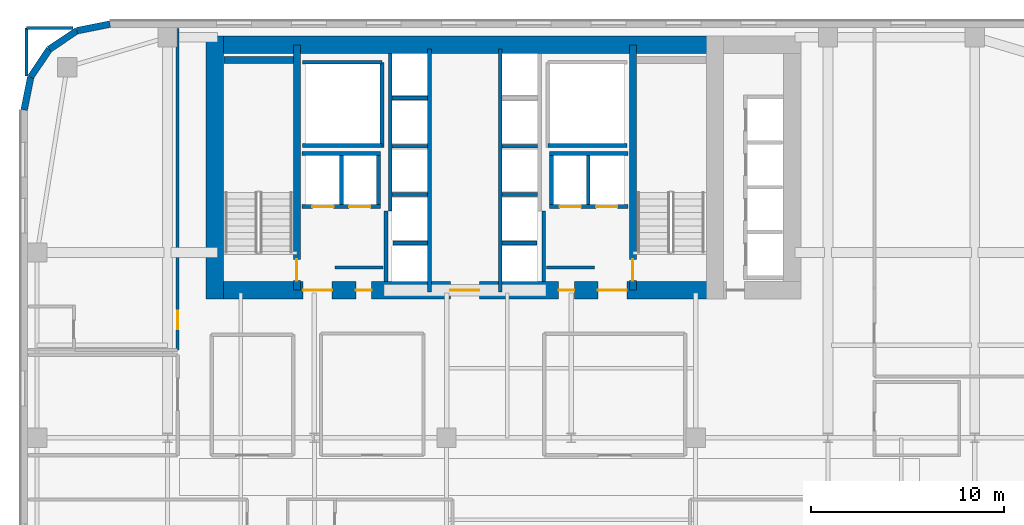
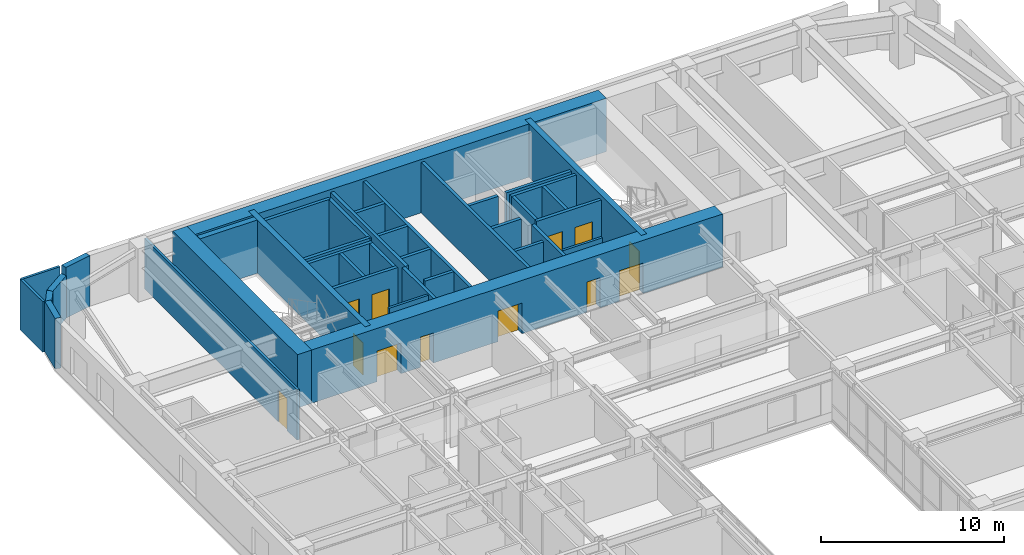
# One storey, part 18 of 25: 39 walls, 12 doors, 12 openings.
"""IFC4 building model written with IfcOpenShell, lengths in metres."""

from ifc_helpers import new_model, si_unit, direction, frame, frame_2d, origin, place, context, subcontext, project, spatial, rectangle, extrude, source, transform, mapped, material, layer, layer_set, type_object, type_shapes, element, fill, save


model = new_model("IFC4")

# Units and contexts
model_context = context("Model", 3, precision=1e-05, world=origin(), true_north=direction((0.0, 1.0)))
body_context = subcontext(model_context, "Body", "Model", "MODEL_VIEW")
ifc_project = project(units=[si_unit("LENGTHUNIT", "METRE"), si_unit("AREAUNIT", "SQUARE_METRE"), si_unit("VOLUMEUNIT", "CUBIC_METRE"), si_unit("PLANEANGLEUNIT", "RADIAN"), si_unit("MASSUNIT", "GRAM", prefix="KILO")], contexts=[model_context])

# Site, building, storey
site_placement = place(None, origin())
site = spatial("IfcSite", under=ifc_project, at=site_placement, CompositionType="ELEMENT")
building_placement = place(site_placement, origin())
building = spatial("IfcBuilding", under=site, at=building_placement, Name="Tolvann Quenvar Hotel", CompositionType="ELEMENT")
storey_placement = place(building_placement, frame((0.0, 0.0, 39.10009765625)))
storey = spatial("IfcBuildingStorey", under=building, at=storey_placement, Name="L08", CompositionType="ELEMENT", Elevation=39.10009765625)

# Wall, openings, doors
ifc_material_1 = material(Name="Concrete S80 (80 MPa)", Category="concrete")
ifc_layer_1 = layer(ifc_material_1, 0.89990234375)
ifc_layer_set_1 = layer_set([ifc_layer_1], Name="Concrete S80 (80 MPa)")
wall_type_1 = type_object("IfcWallType", Name="WALL_CORE_900", PredefinedType="SHEAR", material=ifc_layer_set_1)
wall_1_placement = place(storey_placement, frame((9.60009765625, 32.050048828125, 0.0), z_axis=(0.0, 0.0, 1.0), x_axis=(1.0, 0.0, 0.0)))
wall_1 = element("IfcWall", 1, at=wall_1_placement, inside=storey, type_object=wall_type_1, Name="Rear Core S Shear Wall (L08)", PredefinedType="SHEAR", context=body_context, shape_type="SweptSolid", body=[
    extrude(rectangle(XDim=26.7998046875, YDim=0.89990234375, at=frame_2d((13.39990234375, 0.0))), origin(), (0.0, 0.0, 1.0), 3.5498046875),
])
opening_1_placement = place(wall_1_placement, frame((6.52001953125, 0.0, 0.0), z_axis=(0.0, 0.0, 1.0), x_axis=(-1.0, 0.0, 0.0)))
opening_1 = element("IfcOpeningElement", 2, at=opening_1_placement, cuts=wall_1, Name="Opening FD-60D", PredefinedType="OPENING", context=body_context, shape_type="SweptSolid", body=[
    extrude(rectangle(XDim=1.5, YDim=2.0400390625, at=frame_2d((0.75, 1.02001953125))), frame((0.0, 0.4599609375, 0.0), z_axis=(0.0, -1.0, 0.0), x_axis=(1.0, 0.0, 0.0)), (0.0, 0.0, 1.0), 0.919921875),
])
opening_2_placement = place(wall_1_placement, frame((14.14990234375, 0.0, 0.0), z_axis=(0.0, 0.0, 1.0), x_axis=(-1.0, 0.0, 0.0)))
opening_2 = element("IfcOpeningElement", 3, at=opening_2_placement, cuts=wall_1, Name="Opening FD-60D", PredefinedType="OPENING", context=body_context, shape_type="SweptSolid", body=[
    extrude(rectangle(XDim=1.5, YDim=2.0400390625, at=frame_2d((0.75, 1.02001953125))), frame((0.0, 0.4599609375, 0.0), z_axis=(0.0, -1.0, 0.0), x_axis=(1.0, 0.0, 0.0)), (0.0, 0.0, 1.0), 0.919921875),
])
opening_3_placement = place(wall_1_placement, frame((21.780029296875, 0.0, 0.0), z_axis=(0.0, 0.0, 1.0), x_axis=(-1.0, 0.0, 0.0)))
opening_3 = element("IfcOpeningElement", 4, at=opening_3_placement, cuts=wall_1, Name="Opening FD-60D", PredefinedType="OPENING", context=body_context, shape_type="SweptSolid", body=[
    extrude(rectangle(XDim=1.5, YDim=2.0400390625, at=frame_2d((0.75, 1.02001953125))), frame((0.0, 0.4599609375, 0.0), z_axis=(0.0, -1.0, 0.0), x_axis=(1.0, 0.0, 0.0)), (0.0, 0.0, 1.0), 0.919921875),
])
opening_4_placement = place(wall_1_placement, frame((8.570068359375, 0.0, 0.0), z_axis=(0.0, 0.0, 1.0), x_axis=(-1.0, 0.0, 0.0)))
opening_4 = element("IfcOpeningElement", 5, at=opening_4_placement, cuts=wall_1, Name="Opening HD-02", PredefinedType="OPENING", context=body_context, shape_type="SweptSolid", body=[
    extrude(rectangle(XDim=0.820068359375, YDim=2.010009765625, at=frame_2d((0.41015625, 1.0048828125))), frame((0.0, 0.4599609375, 0.0), z_axis=(0.0, -1.0, 0.0), x_axis=(1.0, 0.0, 0.0)), (0.0, 0.0, 1.0), 0.919921875),
])
opening_5_placement = place(wall_1_placement, frame((19.070068359375, 0.0, 0.0), z_axis=(0.0, 0.0, 1.0), x_axis=(-1.0, 0.0, 0.0)))
opening_5 = element("IfcOpeningElement", 6, at=opening_5_placement, cuts=wall_1, Name="Opening HD-02", PredefinedType="OPENING", context=body_context, shape_type="SweptSolid", body=[
    extrude(rectangle(XDim=0.820068359375, YDim=2.010009765625, at=frame_2d((0.41015625, 1.0048828125))), frame((0.0, 0.4599609375, 0.0), z_axis=(0.0, -1.0, 0.0), x_axis=(1.0, 0.0, 0.0)), (0.0, 0.0, 1.0), 0.919921875),
])
ifc_material_2 = material(Name="Solid-core American oak acoustic fire door leaf in steel frame", Category="steel")
door_type_1 = type_object("IfcDoorType", Name="DOOR_FIRE_LOBBY_1500", OperationType="NOTDEFINED", PredefinedType="DOOR", material=ifc_material_2)
shared_shape_1 = source(origin(), body_context, "Body", "SweptSolid", [
    extrude(rectangle(XDim=1.5, YDim=2.0400390625, at=frame_2d((0.75, 1.02001953125))), frame((0.0, 0.02490234375, 0.0), z_axis=(0.0, -1.0, 0.0), x_axis=(1.0, 0.0, 0.0)), (0.0, 0.0, 1.0), 0.050048828125),
])
type_shapes(door_type_1, [shared_shape_1])
door_1_placement = place(opening_1_placement, origin())
door_1 = element("IfcDoor", 7, at=door_1_placement, inside=storey, type_object=door_type_1, Name="Core Lobby Fire Door FFW (L08)", OperationType="DOUBLE_DOOR_SINGLE_SWING", OverallHeight=2.0400390625, OverallWidth=1.5, PredefinedType="DOOR", context=body_context, shape_type="MappedRepresentation", body=[
    mapped(shared_shape_1, transform((0.0, 0.0, 0.0), x_axis=(1.0, 0.0, 0.0), y_axis=(0.0, 1.0, 0.0), z_axis=(0.0, 0.0, 1.0), scale=1.0)),
])
fill(opening_1, door_1)
door_2_placement = place(opening_2_placement, origin())
door_2 = element("IfcDoor", 8, at=door_2_placement, inside=storey, type_object=door_type_1, Name="Core Lobby Fire Door CLOB (L08)", OperationType="DOUBLE_DOOR_SINGLE_SWING", OverallHeight=2.0400390625, OverallWidth=1.5, PredefinedType="DOOR", context=body_context, shape_type="MappedRepresentation", body=[
    mapped(shared_shape_1, transform((0.0, 0.0, 0.0), x_axis=(1.0, 0.0, 0.0), y_axis=(0.0, 1.0, 0.0), z_axis=(0.0, 0.0, 1.0), scale=1.0)),
])
fill(opening_2, door_2)
door_3_placement = place(opening_3_placement, origin())
door_3 = element("IfcDoor", 9, at=door_3_placement, inside=storey, type_object=door_type_1, Name="Core Lobby Fire Door FFE (L08)", OperationType="DOUBLE_DOOR_SINGLE_SWING", OverallHeight=2.0400390625, OverallWidth=1.5, PredefinedType="DOOR", context=body_context, shape_type="MappedRepresentation", body=[
    mapped(shared_shape_1, transform((0.0, 0.0, 0.0), x_axis=(1.0, 0.0, 0.0), y_axis=(0.0, 1.0, 0.0), z_axis=(0.0, 0.0, 1.0), scale=1.0)),
])
fill(opening_3, door_3)
ifc_material_3 = material(Name="Pressed galvanised steel fire-rated door set", Category="steel")
door_type_2 = type_object("IfcDoorType", Name="DOOR_STORE_820", OperationType="NOTDEFINED", PredefinedType="DOOR", material=ifc_material_3)
shared_shape_2 = source(origin(), body_context, "Body", "SweptSolid", [
    extrude(rectangle(XDim=0.820068359375, YDim=2.010009765625, at=frame_2d((0.41015625, 1.0048828125))), frame((0.0, 0.02490234375, 0.0), z_axis=(0.0, -1.0, 0.0), x_axis=(1.0, 0.0, 0.0)), (0.0, 0.0, 1.0), 0.050048828125),
])
type_shapes(door_type_2, [shared_shape_2])
door_4_placement = place(opening_4_placement, origin())
door_4 = element("IfcDoor", 10, at=door_4_placement, inside=storey, type_object=door_type_2, Name="Core Linen Store Fire Door (L08)", OperationType="SINGLE_SWING_RIGHT", OverallHeight=2.010009765625, OverallWidth=0.820068359375, PredefinedType="DOOR", context=body_context, shape_type="MappedRepresentation", body=[
    mapped(shared_shape_2, transform((0.0, 0.0, 0.0), x_axis=(1.0, 0.0, 0.0), y_axis=(0.0, 1.0, 0.0), z_axis=(0.0, 0.0, 1.0), scale=1.0)),
])
fill(opening_4, door_4)
door_5_placement = place(opening_5_placement, origin())
door_5 = element("IfcDoor", 11, at=door_5_placement, inside=storey, type_object=door_type_2, Name="Core Comms Closet Fire Door (L08)", OperationType="SINGLE_SWING_LEFT", OverallHeight=2.010009765625, OverallWidth=0.820068359375, PredefinedType="DOOR", context=body_context, shape_type="MappedRepresentation", body=[
    mapped(shared_shape_2, transform((0.0, 0.0, 0.0), x_axis=(1.0, 0.0, 0.0), y_axis=(0.0, 1.0, 0.0), z_axis=(0.0, 0.0, 1.0), scale=1.0)),
])
fill(opening_5, door_5)

# Walls
wall_2_placement = place(storey_placement, frame((9.60009765625, 44.75, 0.0), z_axis=(0.0, 0.0, 1.0), x_axis=(1.0, 0.0, 0.0)))
element("IfcWall", 12, at=wall_2_placement, inside=storey, type_object=wall_type_1, Name="Rear Core N Shear Wall (L08)", PredefinedType="SHEAR", context=body_context, shape_type="SweptSolid", body=[
    extrude(rectangle(XDim=26.7998046875, YDim=0.89990234375, at=frame_2d((13.39990234375, 0.0))), origin(), (0.0, 0.0, 1.0), 3.5498046875),
])
wall_3_placement = place(storey_placement, frame((10.050048828125, 31.60009765625, 0.0), z_axis=(0.0, 0.0, 1.0), x_axis=(0.0, 1.0, 0.0)))
element("IfcWall", 13, at=wall_3_placement, inside=storey, type_object=wall_type_1, Name="Rear Core W Shear Wall (L08)", PredefinedType="SHEAR", context=body_context, shape_type="SweptSolid", body=[
    extrude(rectangle(XDim=13.599853515625, YDim=0.89990234375, at=frame_2d((6.7998046875, 0.0))), origin(), (0.0, 0.0, 1.0), 3.5498046875),
])

# Wall, opening, door
ifc_material_4 = material(Name="Concrete S65 (65 MPa)", Category="concrete")
ifc_layer_2 = layer(ifc_material_4, 0.35009765625)
ifc_layer_set_2 = layer_set([ifc_layer_2], Name="Concrete S65 (65 MPa)")
wall_type_2 = type_object("IfcWallType", Name="WALL_CORE_INT_350", PredefinedType="SHEAR", material=ifc_layer_set_2)
wall_4_placement = place(storey_placement, frame((14.300048828125, 32.050048828125, 0.0), z_axis=(0.0, 0.0, 1.0), x_axis=(0.0, 1.0, 0.0)))
wall_4 = element("IfcWall", 14, at=wall_4_placement, inside=storey, type_object=wall_type_2, Name="Core Internal Web Shear Wall WEB-W (L08)", PredefinedType="SHEAR", context=body_context, shape_type="SweptSolid", body=[
    extrude(rectangle(XDim=12.699951171875, YDim=0.35009765625, at=frame_2d((6.35009765625, 0.0))), origin(), (0.0, 0.0, 1.0), 3.5498046875),
])
opening_6_placement = place(wall_4_placement, frame((0.5, 0.0, 0.0)))
opening_6 = element("IfcOpeningElement", 15, at=opening_6_placement, cuts=wall_4, Name="Opening FD-120", PredefinedType="OPENING", context=body_context, shape_type="SweptSolid", body=[
    extrude(rectangle(XDim=1.10009765625, YDim=2.1201171875, at=frame_2d((0.550048828125, 1.06005859375))), frame((0.0, 0.18505859375, 0.0), z_axis=(0.0, -1.0, 0.0), x_axis=(1.0, 0.0, 0.0)), (0.0, 0.0, 1.0), 0.3701171875),
])
door_type_3 = type_object("IfcDoorType", Name="DOOR_FIRE_STAIR_1100", OperationType="NOTDEFINED", PredefinedType="DOOR", material=ifc_material_3)
shared_shape_3 = source(origin(), body_context, "Body", "SweptSolid", [
    extrude(rectangle(XDim=1.10009765625, YDim=2.1201171875, at=frame_2d((0.550048828125, 1.06005859375))), frame((0.0, 0.02490234375, 0.0), z_axis=(0.0, -1.0, 0.0), x_axis=(1.0, 0.0, 0.0)), (0.0, 0.0, 1.0), 0.050048828125),
])
type_shapes(door_type_3, [shared_shape_3])
door_6_placement = place(opening_6_placement, origin())
door_6 = element("IfcDoor", 16, at=door_6_placement, inside=storey, type_object=door_type_3, Name="Exit Stair ST-C1 Fire Door (L08)", OperationType="SINGLE_SWING_RIGHT", OverallHeight=2.1201171875, OverallWidth=1.10009765625, PredefinedType="DOOR", context=body_context, shape_type="MappedRepresentation", body=[
    mapped(shared_shape_3, transform((0.0, 0.0, 0.0), x_axis=(1.0, 0.0, 0.0), y_axis=(0.0, 1.0, 0.0), z_axis=(0.0, 0.0, 1.0), scale=1.0)),
])
fill(opening_6, door_6)

wall_5_placement = place(storey_placement, frame((31.699951171875, 32.050048828125, 0.0), z_axis=(0.0, 0.0, 1.0), x_axis=(0.0, 1.0, 0.0)))
wall_5 = element("IfcWall", 17, at=wall_5_placement, inside=storey, type_object=wall_type_2, Name="Core Internal Web Shear Wall WEB-E (L08)", PredefinedType="SHEAR", context=body_context, shape_type="SweptSolid", body=[
    extrude(rectangle(XDim=12.699951171875, YDim=0.35009765625, at=frame_2d((6.35009765625, 0.0))), origin(), (0.0, 0.0, 1.0), 3.5498046875),
])
opening_7_placement = place(wall_5_placement, frame((1.60009765625, 0.0, 0.0), z_axis=(0.0, 0.0, 1.0), x_axis=(-1.0, 0.0, 0.0)))
opening_7 = element("IfcOpeningElement", 18, at=opening_7_placement, cuts=wall_5, Name="Opening FD-120", PredefinedType="OPENING", context=body_context, shape_type="SweptSolid", body=[
    extrude(rectangle(XDim=1.10009765625, YDim=2.1201171875, at=frame_2d((0.550048828125, 1.06005859375))), frame((0.0, 0.18505859375, 0.0), z_axis=(0.0, -1.0, 0.0), x_axis=(1.0, 0.0, 0.0)), (0.0, 0.0, 1.0), 0.3701171875),
])
door_7_placement = place(opening_7_placement, origin())
door_7 = element("IfcDoor", 19, at=door_7_placement, inside=storey, type_object=door_type_3, Name="Exit Stair ST-C2 Fire Door (L08)", OperationType="SINGLE_SWING_LEFT", OverallHeight=2.1201171875, OverallWidth=1.10009765625, PredefinedType="DOOR", context=body_context, shape_type="MappedRepresentation", body=[
    mapped(shared_shape_3, transform((0.0, 0.0, 0.0), x_axis=(1.0, 0.0, 0.0), y_axis=(0.0, 1.0, 0.0), z_axis=(0.0, 0.0, 1.0), scale=1.0)),
])
fill(opening_7, door_7)

# Walls
wall_6_placement = place(storey_placement, frame((10.52001953125, 43.97509765625, 0.0), z_axis=(0.0, 0.0, 1.0), x_axis=(1.0, 0.0, 0.0)))
element("IfcWall", 20, at=wall_6_placement, inside=storey, type_object=wall_type_2, Name="Core Stair North Closing Shear Wall STC1-N (L08)", PredefinedType="SHEAR", context=body_context, shape_type="SweptSolid", body=[
    extrude(rectangle(XDim=3.60009765625, YDim=0.35009765625, at=frame_2d((1.800048828125, 0.0))), origin(), (0.0, 0.0, 1.0), 3.5498046875),
])
ifc_material_5 = material(Name="Kiln-fired red and buff architectural clay brickwork and terracotta masonry", Category="masonry")
ifc_layer_3 = layer(ifc_material_5, 0.35009765625)
ifc_layer_set_3 = layer_set([ifc_layer_3], Name="Kiln-fired red and buff architectural clay brickwork and terracotta masonry")
wall_type_3 = type_object("IfcWallType", Name="WALL_EXT_BRICK_350", PredefinedType="SOLIDWALL", material=ifc_layer_set_3)
wall_7_placement = place(storey_placement, frame((4.6171875, 45.824951171875, 0.0), z_axis=(0.0, 0.0, 1.0), x_axis=(-0.980800971659, -0.195011420161, 0.0)))
element("IfcWall", 21, at=wall_7_placement, inside=storey, type_object=wall_type_3, Name="Exterior Chicago Brick Wall L08-E19", PredefinedType="SOLIDWALL", context=body_context, shape_type="SweptSolid", body=[
    extrude(rectangle(XDim=1.74267578125, YDim=0.35009765625, at=frame_2d((0.871337890625, 0.0))), origin(), (0.0, 0.0, 1.0), 3.369873046875),
])
for number, where, z_axis, x_axis, name in (
    (22, (2.907958984375, 45.485107421875, 0.0), (0.0, 0.0, 1.0), (-0.831483840845, -0.55554893791, 0.0), "Exterior Chicago Brick Wall L08-E20"),
    (23, (1.473388671875, 44.526611328125, 0.0), (0.0, 0.0, 1.0), (-0.55554893791, -0.831483840845, 0.0), "Exterior Chicago Brick Wall L08-E21"),
):
    element("IfcWall", number, at=place(storey_placement, frame(where, z_axis=z_axis, x_axis=x_axis)), inside=storey, type_object=wall_type_3, Name=name, PredefinedType="SOLIDWALL", context=body_context, shape_type="SweptSolid", body=[
        extrude(rectangle(XDim=1.725341796875, YDim=0.35009765625, at=frame_2d((0.86279296875, 0.0))), origin(), (0.0, 0.0, 1.0), 2.831787109375),
    ])
wall_8_placement = place(storey_placement, frame((0.514892578125, 43.092041015625, 0.0), z_axis=(0.0, 0.0, 1.0), x_axis=(-0.195011420161, -0.980800971659, 0.0)))
element("IfcWall", 24, at=wall_8_placement, inside=storey, type_object=wall_type_3, Name="Exterior Chicago Brick Wall L08-E22", PredefinedType="SOLIDWALL", context=body_context, shape_type="SweptSolid", body=[
    extrude(rectangle(XDim=1.74267578125, YDim=0.35009765625, at=frame_2d((0.871337890625, 0.0))), origin(), (0.0, 0.0, 1.0), 3.369873046875),
])
ifc_material_6 = material(Name="Acoustic twin-stud fire-rated gypsum plasterboard partition")
ifc_layer_4 = layer(ifc_material_6, 0.14990234375)
ifc_layer_set_4 = layer_set([ifc_layer_4], Name="Acoustic twin-stud fire-rated gypsum plasterboard partition")
wall_type_4 = type_object("IfcWallType", Name="WALL_PART_SUITE_150", PredefinedType="PARTITIONING", material=ifc_layer_set_4)
for number, where, z_axis, x_axis, name in (
    (25, (16.280029296875, 33.219970703125, 0.0), (0.0, 0.0, 1.0), (1.0, 0.0, 0.0), "Interior Partition PT-SPC-L08-CSW-1-N"),
    (26, (27.235107421875, 33.219970703125, 0.0), (0.0, 0.0, 1.0), (1.0, 0.0, 0.0), "Interior Partition PT-SPC-L08-CSE-2-N"),
):
    element("IfcWall", number, at=place(storey_placement, frame(where, z_axis=z_axis, x_axis=x_axis)), inside=storey, type_object=wall_type_4, Name=name, PredefinedType="PARTITIONING", context=body_context, shape_type="SweptSolid", body=[
        extrude(rectangle(XDim=2.48486328125, YDim=0.14990234375, at=frame_2d((1.242431640625, 0.0))), origin(), (0.0, 0.0, 1.0), 3.369873046875),
    ])

# Wall, opening, door
wall_9_placement = place(storey_placement, frame((8.1201171875, 28.9599609375, 0.0), z_axis=(0.0, 0.0, 1.0), x_axis=(0.0, 1.0, 0.0)))
wall_9 = element("IfcWall", 27, at=wall_9_placement, inside=storey, type_object=wall_type_4, Name="Interior Partition PT-SPC-L08-RM-NW01-ENT", PredefinedType="PARTITIONING", context=body_context, shape_type="SweptSolid", body=[
    extrude(rectangle(XDim=16.635009765625, YDim=0.14990234375, at=frame_2d((8.3173828125, 0.0))), origin(), (0.0, 0.0, 1.0), 3.369873046875),
])
opening_8_placement = place(wall_9_placement, frame((1.054931640625, 0.0, 0.0)))
opening_8 = element("IfcOpeningElement", 28, at=opening_8_placement, cuts=wall_9, Name="Opening SD-01", PredefinedType="OPENING", context=body_context, shape_type="SweptSolid", body=[
    extrude(rectangle(XDim=0.97998046875, YDim=2.1201171875, at=frame_2d((0.489990234375, 1.06005859375))), frame((0.0, 0.0849609375, 0.0), z_axis=(0.0, -1.0, 0.0), x_axis=(1.0, 0.0, 0.0)), (0.0, 0.0, 1.0), 0.169921875),
])
door_type_4 = type_object("IfcDoorType", Name="DOOR_SUITE_980", OperationType="NOTDEFINED", PredefinedType="DOOR", material=ifc_material_2)
shared_shape_4 = source(origin(), body_context, "Body", "SweptSolid", [
    extrude(rectangle(XDim=0.97998046875, YDim=2.1201171875, at=frame_2d((0.489990234375, 1.06005859375))), frame((0.0, 0.02490234375, 0.0), z_axis=(0.0, -1.0, 0.0), x_axis=(1.0, 0.0, 0.0)), (0.0, 0.0, 1.0), 0.050048828125),
])
type_shapes(door_type_4, [shared_shape_4])
door_8_placement = place(opening_8_placement, origin())
door_8 = element("IfcDoor", 29, at=door_8_placement, inside=storey, type_object=door_type_4, Name="Interior Door DOOR-SPC-L08-RM-NW01", OperationType="SINGLE_SWING_RIGHT", OverallHeight=2.1201171875, OverallWidth=0.97998046875, PredefinedType="DOOR", context=body_context, shape_type="MappedRepresentation", body=[
    mapped(shared_shape_4, transform((0.0, 0.0, 0.0), x_axis=(1.0, 0.0, 0.0), y_axis=(0.0, 1.0, 0.0), z_axis=(0.0, 0.0, 1.0), scale=1.0)),
])
fill(opening_8, door_8)

# Walls
wall_10_placement = place(storey_placement, frame((0.300048828125, 45.6201171875, 0.0), z_axis=(0.0, 0.0, 1.0), x_axis=(1.0, 0.0, 0.0)))
element("IfcWall", 30, at=wall_10_placement, inside=storey, type_object=wall_type_4, Name="Interior Partition PT-SPC-L08-RM-NW01-E5", PredefinedType="PARTITIONING", context=body_context, shape_type="SweptSolid", body=[
    extrude(rectangle(XDim=2.39599609375, YDim=0.14990234375, at=frame_2d((1.197998046875, 0.0))), origin(), (0.0, 0.0, 1.0), 3.369873046875),
])
wall_11_placement = place(storey_placement, frame((0.300048828125, 43.135009765625, 0.0), z_axis=(0.0, 0.0, 1.0), x_axis=(0.0, 1.0, 0.0)))
element("IfcWall", 31, at=wall_11_placement, inside=storey, type_object=wall_type_4, Name="Interior Partition PT-SPC-L08-RM-NW01-E6", PredefinedType="PARTITIONING", context=body_context, shape_type="SweptSolid", body=[
    extrude(rectangle(XDim=2.485107421875, YDim=0.14990234375, at=frame_2d((1.24267578125, 0.0))), origin(), (0.0, 0.0, 1.0), 3.369873046875),
])
ifc_material_7 = material(Name="Concrete N40 (40 MPa)", Category="concrete")
ifc_layer_5 = layer(ifc_material_7, 0.199951171875)
ifc_layer_set_5 = layer_set([ifc_layer_5], Name="Concrete N40 (40 MPa)")
wall_type_5 = type_object("IfcWallType", Name="WALL_SHAFT_200", PredefinedType="SOLIDWALL", material=ifc_layer_set_5)
wall_12_placement = place(storey_placement, frame((18.699951171875, 39.449951171875, 0.0), z_axis=(0.0, 0.0, 1.0), x_axis=(0.0, 1.0, 0.0)))
element("IfcWall", 32, at=wall_12_placement, inside=storey, type_object=wall_type_5, Name="Service Riser W Shaft Wall IN (L08)", PredefinedType="SOLIDWALL", context=body_context, shape_type="SweptSolid", body=[
    extrude(rectangle(XDim=4.400146484375, YDim=0.199951171875, at=frame_2d((2.2001953125, 0.0))), origin(), (0.0, 0.0, 1.0), 3.369873046875),
])
for number, where, z_axis, x_axis, name in (
    (33, (14.60009765625, 39.550048828125, 0.0), (0.0, 0.0, 1.0), (1.0, 0.0, 0.0), "Service Riser W Shaft Wall S (L08)"),
    (34, (14.60009765625, 43.85009765625, 0.0), (0.0, 0.0, 1.0), (1.0, 0.0, 0.0), "Service Riser W Shaft Wall N (L08)"),
    (35, (27.300048828125, 39.550048828125, 0.0), (0.0, 0.0, 1.0), (1.0, 0.0, 0.0), "Service Riser E Shaft Wall S (L08)"),
):
    element("IfcWall", number, at=place(storey_placement, frame(where, z_axis=z_axis, x_axis=x_axis)), inside=storey, type_object=wall_type_5, Name=name, PredefinedType="SOLIDWALL", context=body_context, shape_type="SweptSolid", body=[
        extrude(rectangle(XDim=4.099853515625, YDim=0.199951171875, at=frame_2d((2.0498046875, 0.0))), origin(), (0.0, 0.0, 1.0), 3.369873046875),
    ])
for number, where, z_axis, x_axis, name in (
    (36, (18.919921875, 32.50390625, 0.0), (0.0, 0.0, 1.0), (0.0, 1.0, 0.0), "Firefighting Lobby W Inner Fire Wall (L08)"),
    (37, (27.080078125, 32.50390625, 0.0), (0.0, 0.0, 1.0), (0.0, 1.0, 0.0), "Firefighting Lobby E Inner Fire Wall (L08)"),
):
    element("IfcWall", number, at=place(storey_placement, frame(where, z_axis=z_axis, x_axis=x_axis)), inside=storey, type_object=wall_type_5, Name=name, PredefinedType="SOLIDWALL", context=body_context, shape_type="SweptSolid", body=[
        extrude(rectangle(XDim=3.64599609375, YDim=0.199951171875, at=frame_2d((1.822998046875, 0.0))), origin(), (0.0, 0.0, 1.0), 3.369873046875),
    ])
wall_13_placement = place(storey_placement, frame((21.169921875, 31.9599609375, 0.0), z_axis=(0.0, 0.0, 1.0), x_axis=(0.0, 1.0, 0.0)))
element("IfcWall", 38, at=wall_13_placement, inside=storey, type_object=wall_type_5, Name="Lift Bank E21.1C1 Hoistway Front Wall (L08)", PredefinedType="SOLIDWALL", context=body_context, shape_type="SweptSolid", body=[
    extrude(rectangle(XDim=12.580078125, YDim=0.199951171875, at=frame_2d((6.2900390625, 0.0))), origin(), (0.0, 0.0, 1.0), 3.369873046875),
])
wall_14_placement = place(storey_placement, frame((19.1298828125, 36.159912109375, 0.0), z_axis=(0.0, 0.0, 1.0), x_axis=(0.0, 1.0, 0.0)))
element("IfcWall", 39, at=wall_14_placement, inside=storey, type_object=wall_type_5, Name="Lift Bank E21.1C1 Hoistway Rear Wall (L08)", PredefinedType="SOLIDWALL", context=body_context, shape_type="SweptSolid", body=[
    extrude(rectangle(XDim=8.135986328125, YDim=0.199951171875, at=frame_2d((4.06787109375, 0.0))), origin(), (0.0, 0.0, 1.0), 3.369873046875),
])
wall_15_placement = place(storey_placement, frame((19.27001953125, 34.5, 0.0), z_axis=(0.0, 0.0, 1.0), x_axis=(1.0, 0.0, 0.0)))
element("IfcWall", 40, at=wall_15_placement, inside=storey, type_object=wall_type_5, Name="Lift Bank E21.1C1 Divider Wall 1 (L08)", PredefinedType="SOLIDWALL", context=body_context, shape_type="SweptSolid", body=[
    extrude(rectangle(XDim=1.800048828125, YDim=0.199951171875, at=frame_2d((0.89990234375, 0.0))), origin(), (0.0, 0.0, 1.0), 3.369873046875),
])
for number, where, z_axis, x_axis, name in (
    (41, (19.22998046875, 37.0, 0.0), (0.0, 0.0, 1.0), (1.0, 0.0, 0.0), "Lift Bank E21.1C1 Divider Wall 2 (L08)"),
    (42, (19.22998046875, 39.5, 0.0), (0.0, 0.0, 1.0), (1.0, 0.0, 0.0), "Lift Bank E21.1C1 Divider Wall 3 (L08)"),
    (43, (19.22998046875, 42.0, 0.0), (0.0, 0.0, 1.0), (1.0, 0.0, 0.0), "Lift Bank E21.1C1 Divider Wall 4 (L08)"),
):
    element("IfcWall", number, at=place(storey_placement, frame(where, z_axis=z_axis, x_axis=x_axis)), inside=storey, type_object=wall_type_5, Name=name, PredefinedType="SOLIDWALL", context=body_context, shape_type="SweptSolid", body=[
        extrude(rectangle(XDim=1.840087890625, YDim=0.199951171875, at=frame_2d((0.919921875, 0.0))), origin(), (0.0, 0.0, 1.0), 3.369873046875),
    ])

# Wall, openings, doors
wall_16_placement = place(storey_placement, frame((27.375, 36.3798828125, 0.0), z_axis=(0.0, 0.0, 1.0), x_axis=(1.0, 0.0, 0.0)))
wall_16 = element("IfcWall", 44, at=wall_16_placement, inside=storey, type_object=wall_type_5, Name="Lift Bank SEC1 Hoistway Front Wall (L08)", PredefinedType="SOLIDWALL", context=body_context, shape_type="SweptSolid", body=[
    extrude(rectangle(XDim=4.074951171875, YDim=0.199951171875, at=frame_2d((2.03759765625, 0.0))), origin(), (0.0, 0.0, 1.0), 3.369873046875),
])
opening_9_placement = place(wall_16_placement, frame((0.52490234375, 0.0, 0.0)))
opening_9 = element("IfcOpeningElement", 45, at=opening_9_placement, cuts=wall_16, Name="Opening LD-01", PredefinedType="OPENING", context=body_context, shape_type="SweptSolid", body=[
    extrude(rectangle(XDim=1.10009765625, YDim=2.1201171875, at=frame_2d((0.550048828125, 1.06005859375))), frame((0.0, 0.10986328125, 0.0), z_axis=(0.0, -1.0, 0.0), x_axis=(1.0, 0.0, 0.0)), (0.0, 0.0, 1.0), 0.219970703125),
])
opening_10_placement = place(wall_16_placement, frame((2.425048828125, 0.0, 0.0)))
opening_10 = element("IfcOpeningElement", 46, at=opening_10_placement, cuts=wall_16, Name="Opening LD-01", PredefinedType="OPENING", context=body_context, shape_type="SweptSolid", body=[
    extrude(rectangle(XDim=1.10009765625, YDim=2.1201171875, at=frame_2d((0.550048828125, 1.06005859375))), frame((0.0, 0.10986328125, 0.0), z_axis=(0.0, -1.0, 0.0), x_axis=(1.0, 0.0, 0.0)), (0.0, 0.0, 1.0), 0.219970703125),
])
ifc_material_8 = material(Name="Brushed 316 stainless steel automatic sliding lift landing door", Category="steel")
door_type_5 = type_object("IfcDoorType", Name="DOOR_LIFT_SLIDE_1100", OperationType="NOTDEFINED", PredefinedType="DOOR", material=ifc_material_8)
shared_shape_5 = source(origin(), body_context, "Body", "SweptSolid", [
    extrude(rectangle(XDim=1.10009765625, YDim=2.1201171875, at=frame_2d((0.550048828125, 1.06005859375))), frame((0.0, 0.02490234375, 0.0), z_axis=(0.0, -1.0, 0.0), x_axis=(1.0, 0.0, 0.0)), (0.0, 0.0, 1.0), 0.050048828125),
])
type_shapes(door_type_5, [shared_shape_5])
door_9_placement = place(opening_9_placement, origin())
door_9 = element("IfcDoor", 47, at=door_9_placement, inside=storey, type_object=door_type_5, Name="Lift SV-2 Sliding Landing Door (L08)", OperationType="SLIDING_TO_LEFT", OverallHeight=2.1201171875, OverallWidth=1.10009765625, PredefinedType="DOOR", context=body_context, shape_type="MappedRepresentation", body=[
    mapped(shared_shape_5, transform((0.0, 0.0, 0.0), x_axis=(1.0, 0.0, 0.0), y_axis=(0.0, 1.0, 0.0), z_axis=(0.0, 0.0, 1.0), scale=1.0)),
])
fill(opening_9, door_9)
door_10_placement = place(opening_10_placement, origin())
door_10 = element("IfcDoor", 48, at=door_10_placement, inside=storey, type_object=door_type_5, Name="Lift FF-2 Sliding Landing Door (L08)", OperationType="SLIDING_TO_RIGHT", OverallHeight=2.1201171875, OverallWidth=1.10009765625, PredefinedType="DOOR", context=body_context, shape_type="MappedRepresentation", body=[
    mapped(shared_shape_5, transform((0.0, 0.0, 0.0), x_axis=(1.0, 0.0, 0.0), y_axis=(0.0, 1.0, 0.0), z_axis=(0.0, 0.0, 1.0), scale=1.0)),
])
fill(opening_10, door_10)

# Walls
wall_17_placement = place(storey_placement, frame((27.375, 39.1201171875, 0.0), z_axis=(0.0, 0.0, 1.0), x_axis=(1.0, 0.0, 0.0)))
element("IfcWall", 49, at=wall_17_placement, inside=storey, type_object=wall_type_5, Name="Lift Bank SEC1 Hoistway Rear Wall (L08)", PredefinedType="SOLIDWALL", context=body_context, shape_type="SweptSolid", body=[
    extrude(rectangle(XDim=4.074951171875, YDim=0.199951171875, at=frame_2d((2.03759765625, 0.0))), origin(), (0.0, 0.0, 1.0), 3.369873046875),
])
for number, where, z_axis, x_axis, name in (
    (50, (27.47509765625, 36.47998046875, 0.0), (0.0, 0.0, 1.0), (0.0, 1.0, 0.0), "Lift Bank SEC1 Hoistway Cheek Wall 1 (L08)"),
    (51, (29.387451171875, 36.47998046875, 0.0), (0.0, 0.0, 1.0), (0.0, 1.0, 0.0), "Lift Bank SEC1 Divider Wall 1 (L08)"),
):
    element("IfcWall", number, at=place(storey_placement, frame(where, z_axis=z_axis, x_axis=x_axis)), inside=storey, type_object=wall_type_5, Name=name, PredefinedType="SOLIDWALL", context=body_context, shape_type="SweptSolid", body=[
        extrude(rectangle(XDim=2.5400390625, YDim=0.199951171875, at=frame_2d((1.27001953125, 0.0))), origin(), (0.0, 0.0, 1.0), 3.369873046875),
    ])

# Wall, openings, doors
wall_18_placement = place(storey_placement, frame((14.550048828125, 36.3798828125, 0.0), z_axis=(0.0, 0.0, 1.0), x_axis=(1.0, 0.0, 0.0)))
wall_18 = element("IfcWall", 52, at=wall_18_placement, inside=storey, type_object=wall_type_5, Name="Lift Bank SWC1 Hoistway Front Wall (L08)", PredefinedType="SOLIDWALL", context=body_context, shape_type="SweptSolid", body=[
    extrude(rectangle(XDim=4.074951171875, YDim=0.199951171875, at=frame_2d((2.03759765625, 0.0))), origin(), (0.0, 0.0, 1.0), 3.369873046875),
])
opening_11_placement = place(wall_18_placement, frame((0.550048828125, 0.0, 0.0)))
opening_11 = element("IfcOpeningElement", 53, at=opening_11_placement, cuts=wall_18, Name="Opening LD-01", PredefinedType="OPENING", context=body_context, shape_type="SweptSolid", body=[
    extrude(rectangle(XDim=1.10009765625, YDim=2.1201171875, at=frame_2d((0.550048828125, 1.06005859375))), frame((0.0, 0.10986328125, 0.0), z_axis=(0.0, -1.0, 0.0), x_axis=(1.0, 0.0, 0.0)), (0.0, 0.0, 1.0), 0.219970703125),
])
opening_12_placement = place(wall_18_placement, frame((2.449951171875, 0.0, 0.0)))
opening_12 = element("IfcOpeningElement", 54, at=opening_12_placement, cuts=wall_18, Name="Opening LD-01", PredefinedType="OPENING", context=body_context, shape_type="SweptSolid", body=[
    extrude(rectangle(XDim=1.10009765625, YDim=2.1201171875, at=frame_2d((0.550048828125, 1.06005859375))), frame((0.0, 0.10986328125, 0.0), z_axis=(0.0, -1.0, 0.0), x_axis=(1.0, 0.0, 0.0)), (0.0, 0.0, 1.0), 0.219970703125),
])
door_11_placement = place(opening_11_placement, origin())
door_11 = element("IfcDoor", 55, at=door_11_placement, inside=storey, type_object=door_type_5, Name="Lift FF-1 Sliding Landing Door (L08)", OperationType="SLIDING_TO_LEFT", OverallHeight=2.1201171875, OverallWidth=1.10009765625, PredefinedType="DOOR", context=body_context, shape_type="MappedRepresentation", body=[
    mapped(shared_shape_5, transform((0.0, 0.0, 0.0), x_axis=(1.0, 0.0, 0.0), y_axis=(0.0, 1.0, 0.0), z_axis=(0.0, 0.0, 1.0), scale=1.0)),
])
fill(opening_11, door_11)
door_12_placement = place(opening_12_placement, origin())
door_12 = element("IfcDoor", 56, at=door_12_placement, inside=storey, type_object=door_type_5, Name="Lift SV-1 Sliding Landing Door (L08)", OperationType="SLIDING_TO_RIGHT", OverallHeight=2.1201171875, OverallWidth=1.10009765625, PredefinedType="DOOR", context=body_context, shape_type="MappedRepresentation", body=[
    mapped(shared_shape_5, transform((0.0, 0.0, 0.0), x_axis=(1.0, 0.0, 0.0), y_axis=(0.0, 1.0, 0.0), z_axis=(0.0, 0.0, 1.0), scale=1.0)),
])
fill(opening_12, door_12)

# Walls
wall_19_placement = place(storey_placement, frame((14.550048828125, 39.1201171875, 0.0), z_axis=(0.0, 0.0, 1.0), x_axis=(1.0, 0.0, 0.0)))
element("IfcWall", 57, at=wall_19_placement, inside=storey, type_object=wall_type_5, Name="Lift Bank SWC1 Hoistway Rear Wall (L08)", PredefinedType="SOLIDWALL", context=body_context, shape_type="SweptSolid", body=[
    extrude(rectangle(XDim=4.074951171875, YDim=0.199951171875, at=frame_2d((2.03759765625, 0.0))), origin(), (0.0, 0.0, 1.0), 3.369873046875),
])
for number, where, z_axis, x_axis, name in (
    (58, (18.52490234375, 36.47998046875, 0.0), (0.0, 0.0, 1.0), (0.0, 1.0, 0.0), "Lift Bank SWC1 Hoistway Cheek Wall 2 (L08)"),
    (59, (16.612548828125, 36.47998046875, 0.0), (0.0, 0.0, 1.0), (0.0, 1.0, 0.0), "Lift Bank SWC1 Divider Wall 1 (L08)"),
):
    element("IfcWall", number, at=place(storey_placement, frame(where, z_axis=z_axis, x_axis=x_axis)), inside=storey, type_object=wall_type_5, Name=name, PredefinedType="SOLIDWALL", context=body_context, shape_type="SweptSolid", body=[
        extrude(rectangle(XDim=2.5400390625, YDim=0.199951171875, at=frame_2d((1.27001953125, 0.0))), origin(), (0.0, 0.0, 1.0), 3.369873046875),
    ])
wall_20_placement = place(storey_placement, frame((24.830078125, 31.9599609375, 0.0), z_axis=(0.0, 0.0, 1.0), x_axis=(0.0, 1.0, 0.0)))
element("IfcWall", 60, at=wall_20_placement, inside=storey, type_object=wall_type_5, Name="Lift Bank W24.9C1 Hoistway Front Wall (L08)", PredefinedType="SOLIDWALL", context=body_context, shape_type="SweptSolid", body=[
    extrude(rectangle(XDim=12.580078125, YDim=0.199951171875, at=frame_2d((6.2900390625, 0.0))), origin(), (0.0, 0.0, 1.0), 3.369873046875),
])
wall_21_placement = place(storey_placement, frame((24.929931640625, 34.5, 0.0), z_axis=(0.0, 0.0, 1.0), x_axis=(1.0, 0.0, 0.0)))
element("IfcWall", 61, at=wall_21_placement, inside=storey, type_object=wall_type_5, Name="Lift Bank W24.9C1 Divider Wall 1 (L08)", PredefinedType="SOLIDWALL", context=body_context, shape_type="SweptSolid", body=[
    extrude(rectangle(XDim=1.800048828125, YDim=0.199951171875, at=frame_2d((0.89990234375, 0.0))), origin(), (0.0, 0.0, 1.0), 3.369873046875),
])
for number, where, z_axis, x_axis, name in (
    (62, (24.929931640625, 37.0, 0.0), (0.0, 0.0, 1.0), (1.0, 0.0, 0.0), "Lift Bank W24.9C1 Divider Wall 2 (L08)"),
    (63, (24.929931640625, 39.5, 0.0), (0.0, 0.0, 1.0), (1.0, 0.0, 0.0), "Lift Bank W24.9C1 Divider Wall 3 (L08)"),
):
    element("IfcWall", number, at=place(storey_placement, frame(where, z_axis=z_axis, x_axis=x_axis)), inside=storey, type_object=wall_type_5, Name=name, PredefinedType="SOLIDWALL", context=body_context, shape_type="SweptSolid", body=[
        extrude(rectangle(XDim=1.840087890625, YDim=0.199951171875, at=frame_2d((0.919921875, 0.0))), origin(), (0.0, 0.0, 1.0), 3.369873046875),
    ])

save(model, "model.ifc")
